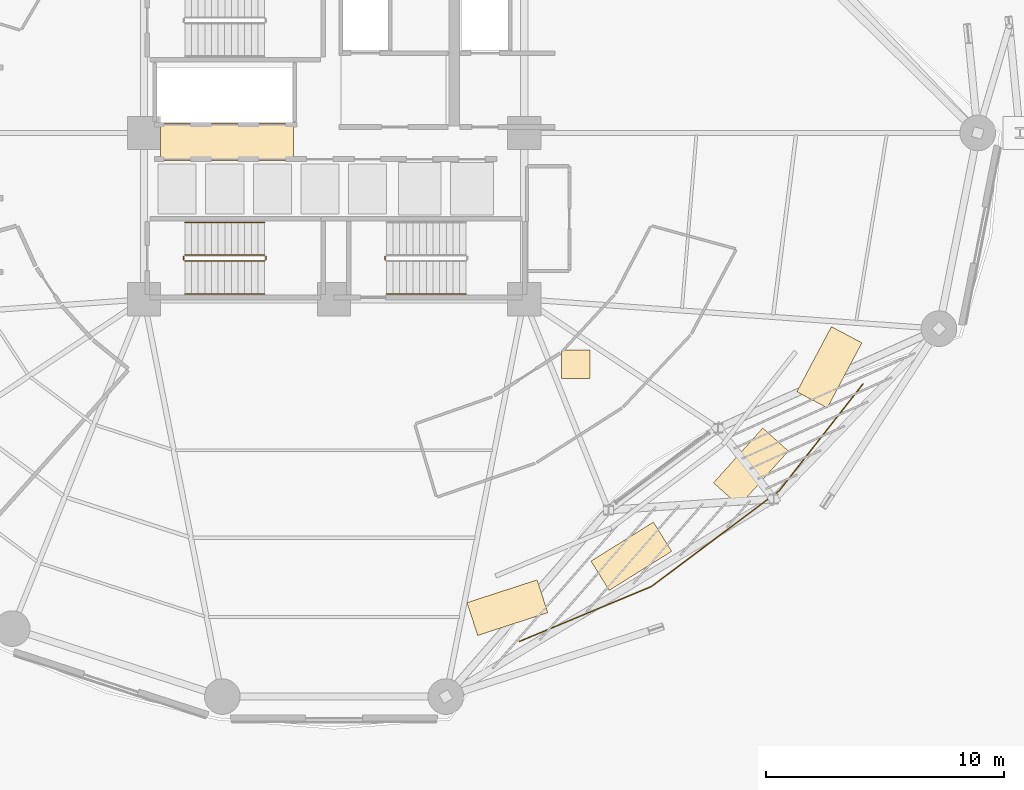
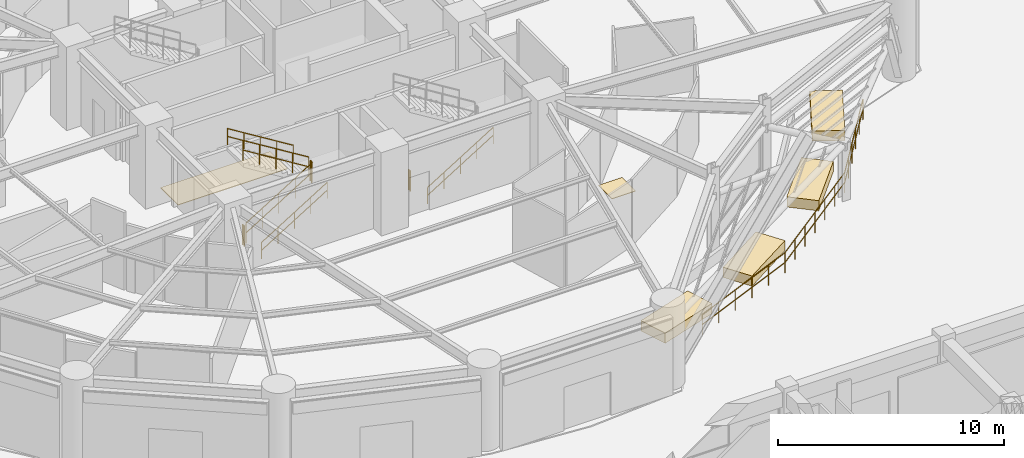
# One storey, part 36 of 40: 9 railings, 6 coverings.
"""IFC4 building model written with IfcOpenShell, lengths in metres."""

from ifc_helpers import new_model, si_unit, direction, frame, origin, origin_2d, place, context, subcontext, project, spatial, polyline, rectangle, outline, extrude, source, transform, mapped, material, layer, layer_set, type_object, element, save


model = new_model("IFC4")

# Units and contexts
model_context = context("Model", 3, precision=1e-05, world=origin(), true_north=direction((0.0, 1.0)))
body_context = subcontext(model_context, "Body", "Model", "MODEL_VIEW")
ifc_project = project(units=[si_unit("LENGTHUNIT", "METRE"), si_unit("AREAUNIT", "SQUARE_METRE"), si_unit("VOLUMEUNIT", "CUBIC_METRE"), si_unit("PLANEANGLEUNIT", "RADIAN"), si_unit("MASSUNIT", "GRAM", prefix="KILO")], contexts=[model_context])

# Site, building, storey
site_placement = place(None, origin())
site = spatial("IfcSite", under=ifc_project, at=site_placement, CompositionType="ELEMENT")
building_placement = place(site_placement, origin())
building = spatial("IfcBuilding", under=site, at=building_placement, Name="Kelanora Arch Commons", CompositionType="ELEMENT")
storey_placement = place(building_placement, origin())
storey = spatial("IfcBuildingStorey", under=building, at=storey_placement, Name="L00", CompositionType="ELEMENT", Elevation=0.0)

# Railings
ifc_material_1 = material(Name="Laminated glass and stainless steel balustrade", Category="steel")
railing_type_1 = type_object("IfcRailingType", Name="RAIL-BAL-112", PredefinedType="BALUSTRADE", material=ifc_material_1)
railing_1_placement = place(storey_placement, frame((81.787109375, 36.601318359375, 0.0)))
element("IfcRailing", 1, at=railing_1_placement, inside=storey, type_object=railing_type_1, Name="Planted Courtyard Garden Balustrade SE", PredefinedType="BALUSTRADE", context=body_context, shape_type="SweptSolid", body=[
    extrude(outline(polyline([(0.02392578125, 0.0), (0.011962890625, 0.020751953125), (-0.011962890625, 0.020751953125), (-0.02392578125, 0.0), (-0.011962890625, -0.020751953125), (0.011962890625, -0.020751953125), (0.02392578125, 0.0)])), frame((0.0, 0.0, 1.09619140625), z_axis=(0.923189481102, 0.38434513394, 0.0), x_axis=(-0.38434513394, 0.923189481102, 0.0)), (0.0, 0.0, 1.0), 6.030029296875),
    extrude(outline(polyline([(0.02392578125, 0.0), (0.011962890625, 0.020751953125), (-0.011962890625, 0.020751953125), (-0.02392578125, 0.0), (-0.011962890625, -0.020751953125), (0.011962890625, -0.020751953125), (0.02392578125, 0.0)])), frame((0.0, 0.0, 0.56005859375), z_axis=(0.923189481102, 0.38434513394, 0.0), x_axis=(-0.38434513394, 0.923189481102, 0.0)), (0.0, 0.0, 1.0), 6.030029296875),
    extrude(outline(polyline([(0.02392578125, 0.0), (0.011962890625, 0.020751953125), (-0.011962890625, 0.020751953125), (-0.02392578125, 0.0), (-0.011962890625, -0.020751953125), (0.011962890625, -0.020751953125), (0.02392578125, 0.0)])), frame((5.56689453125, 2.317626953125, 1.09619140625), z_axis=(0.800309704733, 0.599586838173, 0.0), x_axis=(-0.599586838173, 0.800309704733, 0.0)), (0.0, 0.0, 1.0), 6.714111328125),
    extrude(outline(polyline([(0.02392578125, 0.0), (0.011962890625, 0.020751953125), (-0.011962890625, 0.020751953125), (-0.02392578125, 0.0), (-0.011962890625, -0.020751953125), (0.011962890625, -0.020751953125), (0.02392578125, 0.0)])), frame((5.56689453125, 2.317626953125, 0.56005859375), z_axis=(0.800309704733, 0.599586838173, 0.0), x_axis=(-0.599586838173, 0.800309704733, 0.0)), (0.0, 0.0, 1.0), 6.714111328125),
    extrude(outline(polyline([(0.02392578125, 0.0), (0.011962890625, 0.020751953125), (-0.011962890625, 0.020751953125), (-0.02392578125, 0.0), (-0.011962890625, -0.020751953125), (0.011962890625, -0.020751953125), (0.02392578125, 0.0)])), frame((10.940185546875, 6.34326171875, 1.09619140625), z_axis=(0.617082826824, 0.786898204877, 0.0), x_axis=(-0.786898204877, 0.617082826824, 0.0)), (0.0, 0.0, 1.0), 5.708984375),
    extrude(outline(polyline([(0.02392578125, 0.0), (0.011962890625, 0.020751953125), (-0.011962890625, 0.020751953125), (-0.02392578125, 0.0), (-0.011962890625, -0.020751953125), (0.011962890625, -0.020751953125), (0.02392578125, 0.0)])), frame((10.940185546875, 6.34326171875, 0.56005859375), z_axis=(0.617082826824, 0.786898204877, 0.0), x_axis=(-0.786898204877, 0.617082826824, 0.0)), (0.0, 0.0, 1.0), 5.708984375),
    extrude(outline(polyline([(0.02099609375, 0.0), (0.010498046875, 0.01806640625), (-0.010498046875, 0.01806640625), (-0.02099609375, 0.0), (-0.010498046875, -0.01806640625), (0.010498046875, -0.01806640625), (0.02099609375, 0.0)])), origin(), (0.0, 0.0, 1.0), 1.072021484375),
    extrude(outline(polyline([(0.02099609375, 0.0), (0.010498046875, 0.01806640625), (-0.010498046875, 0.01806640625), (-0.02099609375, 0.0), (-0.010498046875, -0.01806640625), (0.010498046875, -0.01806640625), (0.02099609375, 0.0)])), frame((1.11328125, 0.463623046875, 0.0)), (0.0, 0.0, 1.0), 1.072021484375),
    extrude(outline(polyline([(0.02099609375, 0.0), (0.010498046875, 0.01806640625), (-0.010498046875, 0.01806640625), (-0.02099609375, 0.0), (-0.010498046875, -0.01806640625), (0.010498046875, -0.01806640625), (0.02099609375, 0.0)])), frame((2.226806640625, 0.927001953125, 0.0)), (0.0, 0.0, 1.0), 1.072021484375),
    extrude(outline(polyline([(0.02099609375, 0.0), (0.010498046875, 0.01806640625), (-0.010498046875, 0.01806640625), (-0.02099609375, 0.0), (-0.010498046875, -0.01806640625), (0.010498046875, -0.01806640625), (0.02099609375, 0.0)])), frame((3.340087890625, 1.390625, 0.0)), (0.0, 0.0, 1.0), 1.072021484375),
    extrude(outline(polyline([(0.02099609375, 0.0), (0.010498046875, 0.01806640625), (-0.010498046875, 0.01806640625), (-0.02099609375, 0.0), (-0.010498046875, -0.01806640625), (0.010498046875, -0.01806640625), (0.02099609375, 0.0)])), frame((4.45361328125, 1.85400390625, 0.0)), (0.0, 0.0, 1.0), 1.072021484375),
    extrude(outline(polyline([(0.02099609375, 0.0), (0.010498046875, 0.01806640625), (-0.010498046875, 0.01806640625), (-0.02099609375, 0.0), (-0.010498046875, -0.01806640625), (0.010498046875, -0.01806640625), (0.02099609375, 0.0)])), frame((5.56689453125, 2.317626953125, 0.0)), (0.0, 0.0, 1.0), 1.072021484375),
    extrude(outline(polyline([(0.02099609375, 0.0), (0.010498046875, 0.01806640625), (-0.010498046875, 0.01806640625), (-0.02099609375, 0.0), (-0.010498046875, -0.01806640625), (0.010498046875, -0.01806640625), (0.02099609375, 0.0)])), frame((6.46240234375, 2.988525390625, 0.0)), (0.0, 0.0, 1.0), 1.072021484375),
    extrude(outline(polyline([(0.02099609375, 0.0), (0.010498046875, 0.01806640625), (-0.010498046875, 0.01806640625), (-0.02099609375, 0.0), (-0.010498046875, -0.01806640625), (0.010498046875, -0.01806640625), (0.02099609375, 0.0)])), frame((7.35791015625, 3.659423828125, 0.0)), (0.0, 0.0, 1.0), 1.072021484375),
    extrude(outline(polyline([(0.02099609375, 0.0), (0.010498046875, 0.01806640625), (-0.010498046875, 0.01806640625), (-0.02099609375, 0.0), (-0.010498046875, -0.01806640625), (0.010498046875, -0.01806640625), (0.02099609375, 0.0)])), frame((8.25341796875, 4.33056640625, 0.0)), (0.0, 0.0, 1.0), 1.072021484375),
    extrude(outline(polyline([(0.02099609375, 0.0), (0.010498046875, 0.01806640625), (-0.010498046875, 0.01806640625), (-0.02099609375, 0.0), (-0.010498046875, -0.01806640625), (0.010498046875, -0.01806640625), (0.02099609375, 0.0)])), frame((9.149169921875, 5.00146484375, 0.0)), (0.0, 0.0, 1.0), 1.072021484375),
    extrude(outline(polyline([(0.02099609375, 0.0), (0.010498046875, 0.01806640625), (-0.010498046875, 0.01806640625), (-0.02099609375, 0.0), (-0.010498046875, -0.01806640625), (0.010498046875, -0.01806640625), (0.02099609375, 0.0)])), frame((10.044677734375, 5.67236328125, 0.0)), (0.0, 0.0, 1.0), 1.072021484375),
    extrude(outline(polyline([(0.02099609375, 0.0), (0.010498046875, 0.01806640625), (-0.010498046875, 0.01806640625), (-0.02099609375, 0.0), (-0.010498046875, -0.01806640625), (0.010498046875, -0.01806640625), (0.02099609375, 0.0)])), frame((10.940185546875, 6.34326171875, 0.0)), (0.0, 0.0, 1.0), 1.072021484375),
    extrude(outline(polyline([(0.02099609375, 0.0), (0.010498046875, 0.01806640625), (-0.010498046875, 0.01806640625), (-0.02099609375, 0.0), (-0.010498046875, -0.01806640625), (0.010498046875, -0.01806640625), (0.02099609375, 0.0)])), frame((11.644775390625, 7.24169921875, 0.0)), (0.0, 0.0, 1.0), 1.072021484375),
    extrude(outline(polyline([(0.02099609375, 0.0), (0.010498046875, 0.01806640625), (-0.010498046875, 0.01806640625), (-0.02099609375, 0.0), (-0.010498046875, -0.01806640625), (0.010498046875, -0.01806640625), (0.02099609375, 0.0)])), frame((12.349365234375, 8.14013671875, 0.0)), (0.0, 0.0, 1.0), 1.072021484375),
    extrude(outline(polyline([(0.02099609375, 0.0), (0.010498046875, 0.01806640625), (-0.010498046875, 0.01806640625), (-0.02099609375, 0.0), (-0.010498046875, -0.01806640625), (0.010498046875, -0.01806640625), (0.02099609375, 0.0)])), frame((13.053955078125, 9.038818359375, 0.0)), (0.0, 0.0, 1.0), 1.072021484375),
    extrude(outline(polyline([(0.02099609375, 0.0), (0.010498046875, 0.01806640625), (-0.010498046875, 0.01806640625), (-0.02099609375, 0.0), (-0.010498046875, -0.01806640625), (0.010498046875, -0.01806640625), (0.02099609375, 0.0)])), frame((13.758544921875, 9.937255859375, 0.0)), (0.0, 0.0, 1.0), 1.072021484375),
    extrude(outline(polyline([(0.02099609375, 0.0), (0.010498046875, 0.01806640625), (-0.010498046875, 0.01806640625), (-0.02099609375, 0.0), (-0.010498046875, -0.01806640625), (0.010498046875, -0.01806640625), (0.02099609375, 0.0)])), frame((14.463134765625, 10.835693359375, 0.0)), (0.0, 0.0, 1.0), 1.072021484375),
])
ifc_material_2 = material(Name="Painted steel stair well guard", Category="steel")
railing_type_2 = type_object("IfcRailingType", Name="RAIL-STAIR-GRD", PredefinedType="GUARDRAIL", material=ifc_material_2)
railing_2_placement = place(storey_placement, frame((76.14990234375, 52.659912109375, 0.0)))
element("IfcRailing", 2, at=railing_2_placement, inside=storey, type_object=railing_type_2, Name="L00 ST-T2 stair guard 4", PredefinedType="GUARDRAIL", context=body_context, shape_type="SweptSolid", body=[
    extrude(outline(polyline([(0.02392578125, 0.0), (0.011962890625, 0.020751953125), (-0.011962890625, 0.020751953125), (-0.02392578125, 0.0), (-0.011962890625, -0.020751953125), (0.011962890625, -0.020751953125), (0.02392578125, 0.0)])), frame((0.0, 0.0, 1.076171875), z_axis=(0.0, 1.0, 0.0), x_axis=(-1.0, 0.0, 0.0)), (0.0, 0.0, 1.0), 0.150146484375),
    extrude(outline(polyline([(0.02392578125, 0.0), (0.011962890625, 0.020751953125), (-0.011962890625, 0.020751953125), (-0.02392578125, 0.0), (-0.011962890625, -0.020751953125), (0.011962890625, -0.020751953125), (0.02392578125, 0.0)])), frame((0.0, 0.0, 0.550048828125), z_axis=(0.0, 1.0, 0.0), x_axis=(-1.0, 0.0, 0.0)), (0.0, 0.0, 1.0), 0.150146484375),
    extrude(outline(polyline([(0.02099609375, 0.0), (0.010498046875, 0.01806640625), (-0.010498046875, 0.01806640625), (-0.02099609375, 0.0), (-0.010498046875, -0.01806640625), (0.010498046875, -0.01806640625), (0.02099609375, 0.0)])), origin(), (0.0, 0.0, 1.0), 1.052001953125),
    extrude(outline(polyline([(0.02099609375, 0.0), (0.010498046875, 0.01806640625), (-0.010498046875, 0.01806640625), (-0.02099609375, 0.0), (-0.010498046875, -0.01806640625), (0.010498046875, -0.01806640625), (0.02099609375, 0.0)])), frame((0.0, 0.150146484375, 0.0)), (0.0, 0.0, 1.0), 1.052001953125),
])
railing_3_placement = place(storey_placement, frame((67.719970703125, 52.610107421875, 0.173095703125)))
element("IfcRailing", 3, at=railing_3_placement, inside=storey, type_object=railing_type_2, Name="L00 ST-T3 stair guard 1", PredefinedType="GUARDRAIL", context=body_context, shape_type="SweptSolid", body=[
    extrude(outline(polyline([(0.02392578125, 0.0), (0.011962890625, 0.020751953125), (-0.011962890625, 0.020751953125), (-0.02392578125, 0.0), (-0.011962890625, -0.020751953125), (0.011962890625, -0.020751953125), (0.02392578125, 0.0)])), frame((0.0, 0.0, 1.076171875), z_axis=(0.850623216509, 0.0, 0.525775754039), x_axis=(0.0, 1.0, 0.0)), (0.0, 0.0, 1.0), 3.9501953125),
    extrude(outline(polyline([(0.02392578125, 0.0), (0.011962890625, 0.020751953125), (-0.011962890625, 0.020751953125), (-0.02392578125, 0.0), (-0.011962890625, -0.020751953125), (0.011962890625, -0.020751953125), (0.02392578125, 0.0)])), frame((0.0, 0.0, 0.550048828125), z_axis=(0.850623216509, 0.0, 0.525775754039), x_axis=(0.0, 1.0, 0.0)), (0.0, 0.0, 1.0), 3.9501953125),
    extrude(outline(polyline([(0.02099609375, 0.0), (0.010498046875, 0.01806640625), (-0.010498046875, 0.01806640625), (-0.02099609375, 0.0), (-0.010498046875, -0.01806640625), (0.010498046875, -0.01806640625), (0.02099609375, 0.0)])), origin(), (0.0, 0.0, 1.0), 1.052001953125),
    extrude(outline(polyline([(0.02099609375, 0.0), (0.010498046875, 0.01806640625), (-0.010498046875, 0.01806640625), (-0.02099609375, 0.0), (-0.010498046875, -0.01806640625), (0.010498046875, -0.01806640625), (0.02099609375, 0.0)])), frame((0.840087890625, 0.0, 0.519287109375)), (0.0, 0.0, 1.0), 1.052001953125),
    extrude(outline(polyline([(0.02099609375, 0.0), (0.010498046875, 0.01806640625), (-0.010498046875, 0.01806640625), (-0.02099609375, 0.0), (-0.010498046875, -0.01806640625), (0.010498046875, -0.01806640625), (0.02099609375, 0.0)])), frame((1.68017578125, 0.0, 1.03857421875)), (0.0, 0.0, 1.0), 1.052001953125),
    extrude(outline(polyline([(0.02099609375, 0.0), (0.010498046875, 0.01806640625), (-0.010498046875, 0.01806640625), (-0.02099609375, 0.0), (-0.010498046875, -0.01806640625), (0.010498046875, -0.01806640625), (0.02099609375, 0.0)])), frame((2.52001953125, 0.0, 1.5576171875)), (0.0, 0.0, 1.0), 1.052001953125),
    extrude(outline(polyline([(0.02099609375, 0.0), (0.010498046875, 0.01806640625), (-0.010498046875, 0.01806640625), (-0.02099609375, 0.0), (-0.010498046875, -0.01806640625), (0.010498046875, -0.01806640625), (0.02099609375, 0.0)])), frame((3.360107421875, 0.0, 2.076904296875)), (0.0, 0.0, 1.0), 1.052001953125),
])
railing_4_placement = place(storey_placement, frame((71.1298828125, 52.659912109375, 2.25)))
element("IfcRailing", 4, at=railing_4_placement, inside=storey, type_object=railing_type_2, Name="L00 ST-T3 stair guard 2", PredefinedType="GUARDRAIL", context=body_context, shape_type="SweptSolid", body=[
    extrude(outline(polyline([(0.02392578125, 0.0), (0.011962890625, 0.020751953125), (-0.011962890625, 0.020751953125), (-0.02392578125, 0.0), (-0.011962890625, -0.020751953125), (0.011962890625, -0.020751953125), (0.02392578125, 0.0)])), frame((0.0, 0.0, 1.076171875), z_axis=(0.0, 1.0, 0.0), x_axis=(-1.0, 0.0, 0.0)), (0.0, 0.0, 1.0), 0.150146484375),
    extrude(outline(polyline([(0.02392578125, 0.0), (0.011962890625, 0.020751953125), (-0.011962890625, 0.020751953125), (-0.02392578125, 0.0), (-0.011962890625, -0.020751953125), (0.011962890625, -0.020751953125), (0.02392578125, 0.0)])), frame((0.0, 0.0, 0.550048828125), z_axis=(0.0, 1.0, 0.0), x_axis=(-1.0, 0.0, 0.0)), (0.0, 0.0, 1.0), 0.150146484375),
    extrude(outline(polyline([(0.02099609375, 0.0), (0.010498046875, 0.01806640625), (-0.010498046875, 0.01806640625), (-0.02099609375, 0.0), (-0.010498046875, -0.01806640625), (0.010498046875, -0.01806640625), (0.02099609375, 0.0)])), origin(), (0.0, 0.0, 1.0), 1.052001953125),
    extrude(outline(polyline([(0.02099609375, 0.0), (0.010498046875, 0.01806640625), (-0.010498046875, 0.01806640625), (-0.02099609375, 0.0), (-0.010498046875, -0.01806640625), (0.010498046875, -0.01806640625), (0.02099609375, 0.0)])), frame((0.0, 0.150146484375, 0.0)), (0.0, 0.0, 1.0), 1.052001953125),
])
railing_5_placement = place(storey_placement, frame((71.080078125, 52.860107421875, 2.423095703125)))
element("IfcRailing", 5, at=railing_5_placement, inside=storey, type_object=railing_type_2, Name="L00 ST-T3 stair guard 3", PredefinedType="GUARDRAIL", context=body_context, shape_type="SweptSolid", body=[
    extrude(outline(polyline([(0.02392578125, 0.0), (0.011962890625, 0.020751953125), (-0.011962890625, 0.020751953125), (-0.02392578125, 0.0), (-0.011962890625, -0.020751953125), (0.011962890625, -0.020751953125), (0.02392578125, 0.0)])), frame((0.0, 0.0, 1.076171875), z_axis=(-0.850623216509, 0.0, 0.525775754039), x_axis=(0.0, -1.0, 0.0)), (0.0, 0.0, 1.0), 3.9501953125),
    extrude(outline(polyline([(0.02392578125, 0.0), (0.011962890625, 0.020751953125), (-0.011962890625, 0.020751953125), (-0.02392578125, 0.0), (-0.011962890625, -0.020751953125), (0.011962890625, -0.020751953125), (0.02392578125, 0.0)])), frame((0.0, 0.0, 0.550048828125), z_axis=(-0.850623216509, 0.0, 0.525775754039), x_axis=(0.0, -1.0, 0.0)), (0.0, 0.0, 1.0), 3.9501953125),
    extrude(outline(polyline([(0.02099609375, 0.0), (0.010498046875, 0.01806640625), (-0.010498046875, 0.01806640625), (-0.02099609375, 0.0), (-0.010498046875, -0.01806640625), (0.010498046875, -0.01806640625), (0.02099609375, 0.0)])), origin(), (0.0, 0.0, 1.0), 1.052001953125),
    extrude(outline(polyline([(0.02099609375, 0.0), (0.010498046875, 0.01806640625), (-0.010498046875, 0.01806640625), (-0.02099609375, 0.0), (-0.010498046875, -0.01806640625), (0.010498046875, -0.01806640625), (0.02099609375, 0.0)])), frame((-0.840087890625, 0.0, 0.519287109375)), (0.0, 0.0, 1.0), 1.052001953125),
    extrude(outline(polyline([(0.02099609375, 0.0), (0.010498046875, 0.01806640625), (-0.010498046875, 0.01806640625), (-0.02099609375, 0.0), (-0.010498046875, -0.01806640625), (0.010498046875, -0.01806640625), (0.02099609375, 0.0)])), frame((-1.68017578125, 0.0, 1.03857421875)), (0.0, 0.0, 1.0), 1.052001953125),
    extrude(outline(polyline([(0.02099609375, 0.0), (0.010498046875, 0.01806640625), (-0.010498046875, 0.01806640625), (-0.02099609375, 0.0), (-0.010498046875, -0.01806640625), (0.010498046875, -0.01806640625), (0.02099609375, 0.0)])), frame((-2.52001953125, 0.0, 1.5576171875)), (0.0, 0.0, 1.0), 1.052001953125),
    extrude(outline(polyline([(0.02099609375, 0.0), (0.010498046875, 0.01806640625), (-0.010498046875, 0.01806640625), (-0.02099609375, 0.0), (-0.010498046875, -0.01806640625), (0.010498046875, -0.01806640625), (0.02099609375, 0.0)])), frame((-3.360107421875, 0.0, 2.076904296875)), (0.0, 0.0, 1.0), 1.052001953125),
])
railing_6_placement = place(storey_placement, frame((67.669921875, 52.659912109375, 0.0)))
element("IfcRailing", 6, at=railing_6_placement, inside=storey, type_object=railing_type_2, Name="L00 ST-T3 stair guard 4", PredefinedType="GUARDRAIL", context=body_context, shape_type="SweptSolid", body=[
    extrude(outline(polyline([(0.02392578125, 0.0), (0.011962890625, 0.020751953125), (-0.011962890625, 0.020751953125), (-0.02392578125, 0.0), (-0.011962890625, -0.020751953125), (0.011962890625, -0.020751953125), (0.02392578125, 0.0)])), frame((0.0, 0.0, 1.076171875), z_axis=(0.0, 1.0, 0.0), x_axis=(-1.0, 0.0, 0.0)), (0.0, 0.0, 1.0), 0.150146484375),
    extrude(outline(polyline([(0.02392578125, 0.0), (0.011962890625, 0.020751953125), (-0.011962890625, 0.020751953125), (-0.02392578125, 0.0), (-0.011962890625, -0.020751953125), (0.011962890625, -0.020751953125), (0.02392578125, 0.0)])), frame((0.0, 0.0, 0.550048828125), z_axis=(0.0, 1.0, 0.0), x_axis=(-1.0, 0.0, 0.0)), (0.0, 0.0, 1.0), 0.150146484375),
    extrude(outline(polyline([(0.02099609375, 0.0), (0.010498046875, 0.01806640625), (-0.010498046875, 0.01806640625), (-0.02099609375, 0.0), (-0.010498046875, -0.01806640625), (0.010498046875, -0.01806640625), (0.02099609375, 0.0)])), origin(), (0.0, 0.0, 1.0), 1.052001953125),
    extrude(outline(polyline([(0.02099609375, 0.0), (0.010498046875, 0.01806640625), (-0.010498046875, 0.01806640625), (-0.02099609375, 0.0), (-0.010498046875, -0.01806640625), (0.010498046875, -0.01806640625), (0.02099609375, 0.0)])), frame((0.0, 0.150146484375, 0.0)), (0.0, 0.0, 1.0), 1.052001953125),
])
ifc_material_3 = material(Name="Brushed stainless steel stair handrail", Category="steel")
railing_type_3 = type_object("IfcRailingType", Name="RAIL-STAIR-HND", PredefinedType="HANDRAIL", material=ifc_material_3)
railing_7_placement = place(storey_placement, frame((76.199951171875, 51.22998046875, 0.173095703125)))
element("IfcRailing", 7, at=railing_7_placement, inside=storey, type_object=railing_type_3, Name="L00 ST-T2 stair handrail 1", PredefinedType="HANDRAIL", context=body_context, shape_type="SweptSolid", body=[
    extrude(outline(polyline([(0.02392578125, 0.0), (0.011962890625, 0.020751953125), (-0.011962890625, 0.020751953125), (-0.02392578125, 0.0), (-0.011962890625, -0.020751953125), (0.011962890625, -0.020751953125), (0.02392578125, 0.0)])), frame((0.0, 0.0, 0.8759765625), z_axis=(0.850623216509, 0.0, 0.525775754039), x_axis=(0.0, 1.0, 0.0)), (0.0, 0.0, 1.0), 3.9501953125),
    extrude(outline(polyline([(0.02392578125, 0.0), (0.011962890625, 0.020751953125), (-0.011962890625, 0.020751953125), (-0.02392578125, 0.0), (-0.011962890625, -0.020751953125), (0.011962890625, -0.020751953125), (0.02392578125, 0.0)])), frame((0.0, 0.0, 0.449951171875), z_axis=(0.850623216509, 0.0, 0.525775754039), x_axis=(0.0, 1.0, 0.0)), (0.0, 0.0, 1.0), 3.9501953125),
    extrude(outline(polyline([(0.02099609375, 0.0), (0.010498046875, 0.01806640625), (-0.010498046875, 0.01806640625), (-0.02099609375, 0.0), (-0.010498046875, -0.01806640625), (0.010498046875, -0.01806640625), (0.02099609375, 0.0)])), origin(), (0.0, 0.0, 1.0), 0.851806640625),
    extrude(outline(polyline([(0.02099609375, 0.0), (0.010498046875, 0.01806640625), (-0.010498046875, 0.01806640625), (-0.02099609375, 0.0), (-0.010498046875, -0.01806640625), (0.010498046875, -0.01806640625), (0.02099609375, 0.0)])), frame((0.840087890625, 0.0, 0.519287109375)), (0.0, 0.0, 1.0), 0.851806640625),
    extrude(outline(polyline([(0.02099609375, 0.0), (0.010498046875, 0.01806640625), (-0.010498046875, 0.01806640625), (-0.02099609375, 0.0), (-0.010498046875, -0.01806640625), (0.010498046875, -0.01806640625), (0.02099609375, 0.0)])), frame((1.68017578125, 0.0, 1.03857421875)), (0.0, 0.0, 1.0), 0.851806640625),
    extrude(outline(polyline([(0.02099609375, 0.0), (0.010498046875, 0.01806640625), (-0.010498046875, 0.01806640625), (-0.02099609375, 0.0), (-0.010498046875, -0.01806640625), (0.010498046875, -0.01806640625), (0.02099609375, 0.0)])), frame((2.52001953125, 0.0, 1.5576171875)), (0.0, 0.0, 1.0), 0.851806640625),
    extrude(outline(polyline([(0.02099609375, 0.0), (0.010498046875, 0.01806640625), (-0.010498046875, 0.01806640625), (-0.02099609375, 0.0), (-0.010498046875, -0.01806640625), (0.010498046875, -0.01806640625), (0.02099609375, 0.0)])), frame((3.360107421875, 0.0, 2.076904296875)), (0.0, 0.0, 1.0), 0.851806640625),
])
railing_8_placement = place(storey_placement, frame((67.719970703125, 51.22998046875, 0.173095703125)))
element("IfcRailing", 8, at=railing_8_placement, inside=storey, type_object=railing_type_3, Name="L00 ST-T3 stair handrail 1", PredefinedType="HANDRAIL", context=body_context, shape_type="SweptSolid", body=[
    extrude(outline(polyline([(0.02392578125, 0.0), (0.011962890625, 0.020751953125), (-0.011962890625, 0.020751953125), (-0.02392578125, 0.0), (-0.011962890625, -0.020751953125), (0.011962890625, -0.020751953125), (0.02392578125, 0.0)])), frame((0.0, 0.0, 0.8759765625), z_axis=(0.850623216509, 0.0, 0.525775754039), x_axis=(0.0, 1.0, 0.0)), (0.0, 0.0, 1.0), 3.9501953125),
    extrude(outline(polyline([(0.02392578125, 0.0), (0.011962890625, 0.020751953125), (-0.011962890625, 0.020751953125), (-0.02392578125, 0.0), (-0.011962890625, -0.020751953125), (0.011962890625, -0.020751953125), (0.02392578125, 0.0)])), frame((0.0, 0.0, 0.449951171875), z_axis=(0.850623216509, 0.0, 0.525775754039), x_axis=(0.0, 1.0, 0.0)), (0.0, 0.0, 1.0), 3.9501953125),
    extrude(outline(polyline([(0.02099609375, 0.0), (0.010498046875, 0.01806640625), (-0.010498046875, 0.01806640625), (-0.02099609375, 0.0), (-0.010498046875, -0.01806640625), (0.010498046875, -0.01806640625), (0.02099609375, 0.0)])), origin(), (0.0, 0.0, 1.0), 0.851806640625),
    extrude(outline(polyline([(0.02099609375, 0.0), (0.010498046875, 0.01806640625), (-0.010498046875, 0.01806640625), (-0.02099609375, 0.0), (-0.010498046875, -0.01806640625), (0.010498046875, -0.01806640625), (0.02099609375, 0.0)])), frame((0.840087890625, 0.0, 0.519287109375)), (0.0, 0.0, 1.0), 0.851806640625),
    extrude(outline(polyline([(0.02099609375, 0.0), (0.010498046875, 0.01806640625), (-0.010498046875, 0.01806640625), (-0.02099609375, 0.0), (-0.010498046875, -0.01806640625), (0.010498046875, -0.01806640625), (0.02099609375, 0.0)])), frame((1.68017578125, 0.0, 1.03857421875)), (0.0, 0.0, 1.0), 0.851806640625),
    extrude(outline(polyline([(0.02099609375, 0.0), (0.010498046875, 0.01806640625), (-0.010498046875, 0.01806640625), (-0.02099609375, 0.0), (-0.010498046875, -0.01806640625), (0.010498046875, -0.01806640625), (0.02099609375, 0.0)])), frame((2.52001953125, 0.0, 1.5576171875)), (0.0, 0.0, 1.0), 0.851806640625),
    extrude(outline(polyline([(0.02099609375, 0.0), (0.010498046875, 0.01806640625), (-0.010498046875, 0.01806640625), (-0.02099609375, 0.0), (-0.010498046875, -0.01806640625), (0.010498046875, -0.01806640625), (0.02099609375, 0.0)])), frame((3.360107421875, 0.0, 2.076904296875)), (0.0, 0.0, 1.0), 0.851806640625),
])
railing_9_placement = place(storey_placement, frame((71.080078125, 54.239990234375, 2.423095703125)))
element("IfcRailing", 9, at=railing_9_placement, inside=storey, type_object=railing_type_3, Name="L00 ST-T3 stair handrail 2", PredefinedType="HANDRAIL", context=body_context, shape_type="SweptSolid", body=[
    extrude(outline(polyline([(0.02392578125, 0.0), (0.011962890625, 0.020751953125), (-0.011962890625, 0.020751953125), (-0.02392578125, 0.0), (-0.011962890625, -0.020751953125), (0.011962890625, -0.020751953125), (0.02392578125, 0.0)])), frame((0.0, 0.0, 0.8759765625), z_axis=(-0.850623216509, 0.0, 0.525775754039), x_axis=(0.0, -1.0, 0.0)), (0.0, 0.0, 1.0), 3.9501953125),
    extrude(outline(polyline([(0.02392578125, 0.0), (0.011962890625, 0.020751953125), (-0.011962890625, 0.020751953125), (-0.02392578125, 0.0), (-0.011962890625, -0.020751953125), (0.011962890625, -0.020751953125), (0.02392578125, 0.0)])), frame((0.0, 0.0, 0.449951171875), z_axis=(-0.850623216509, 0.0, 0.525775754039), x_axis=(0.0, -1.0, 0.0)), (0.0, 0.0, 1.0), 3.9501953125),
    extrude(outline(polyline([(0.02099609375, 0.0), (0.010498046875, 0.01806640625), (-0.010498046875, 0.01806640625), (-0.02099609375, 0.0), (-0.010498046875, -0.01806640625), (0.010498046875, -0.01806640625), (0.02099609375, 0.0)])), origin(), (0.0, 0.0, 1.0), 0.851806640625),
    extrude(outline(polyline([(0.02099609375, 0.0), (0.010498046875, 0.01806640625), (-0.010498046875, 0.01806640625), (-0.02099609375, 0.0), (-0.010498046875, -0.01806640625), (0.010498046875, -0.01806640625), (0.02099609375, 0.0)])), frame((-0.840087890625, 0.0, 0.519287109375)), (0.0, 0.0, 1.0), 0.851806640625),
    extrude(outline(polyline([(0.02099609375, 0.0), (0.010498046875, 0.01806640625), (-0.010498046875, 0.01806640625), (-0.02099609375, 0.0), (-0.010498046875, -0.01806640625), (0.010498046875, -0.01806640625), (0.02099609375, 0.0)])), frame((-1.68017578125, 0.0, 1.03857421875)), (0.0, 0.0, 1.0), 0.851806640625),
    extrude(outline(polyline([(0.02099609375, 0.0), (0.010498046875, 0.01806640625), (-0.010498046875, 0.01806640625), (-0.02099609375, 0.0), (-0.010498046875, -0.01806640625), (0.010498046875, -0.01806640625), (0.02099609375, 0.0)])), frame((-2.52001953125, 0.0, 1.5576171875)), (0.0, 0.0, 1.0), 0.851806640625),
    extrude(outline(polyline([(0.02099609375, 0.0), (0.010498046875, 0.01806640625), (-0.010498046875, 0.01806640625), (-0.02099609375, 0.0), (-0.010498046875, -0.01806640625), (0.010498046875, -0.01806640625), (0.02099609375, 0.0)])), frame((-3.360107421875, 0.0, 2.076904296875)), (0.0, 0.0, 1.0), 0.851806640625),
])

# Coverings
ifc_material_4 = material(Name="Architectural terracotta planter bed with planting soil", Category="masonry")
ifc_layer_1 = layer(ifc_material_4, 0.550048828125)
ifc_layer_set_1 = layer_set([ifc_layer_1], Name="Architectural terracotta planter bed with planting soil")
covering_type_1 = type_object("IfcCoveringType", Name="COV-PLANTER", PredefinedType="USERDEFINED", material=ifc_layer_set_1)
shared_shape_1 = source(origin(), body_context, "Body", "SweptSolid", [
    extrude(rectangle(XDim=3.10009765625, YDim=1.449951171875, at=origin_2d()), origin(), (0.0, 0.0, 1.0), 0.550048828125),
])
for number, where, z_axis, x_axis, name in (
    (10, (81.292724609375, 38.02783203125, 0.0), (0.0, 0.0, 1.0), (0.951056516295, 0.309016994375, 0.0), "Planted Courtyard Garden Bed SE-1"),
    (11, (86.506103515625, 40.19091796875, 0.0), (0.0, 0.0, 1.0), (0.848048096156, 0.529919264233, 0.0), "Planted Courtyard Garden Bed SE-2"),
    (12, (91.5380859375, 43.9482421875, 0.0), (0.0, 0.0, 1.0), (0.669130606359, 0.743144825477, 0.0), "Planted Courtyard Garden Bed SE-3"),
    (13, (94.837646484375, 48.14111328125, 0.0), (0.0, 0.0, 1.0), (0.469471562786, 0.882947592859, 0.0), "Planted Courtyard Garden Bed SE-4"),
):
    element("IfcCovering", number, at=place(storey_placement, frame(where, z_axis=z_axis, x_axis=x_axis)), inside=storey, type_object=covering_type_1, Name=name, ObjectType="PLANTER", PredefinedType="USERDEFINED", context=body_context, shape_type="MappedRepresentation", body=[
        mapped(shared_shape_1, transform((0.0, 0.0, 0.0), scale=1.0)),
    ])
ifc_material_5 = material(Name="Polished local granite terrazzo flooring", Category="masonry")
ifc_layer_2 = layer(ifc_material_5, 0.030029296875)
ifc_layer_set_2 = layer_set([ifc_layer_2], Name="Polished local granite terrazzo flooring")
covering_type_2 = type_object("IfcCoveringType", Name="COV-FLR-TER", PredefinedType="FLOORING", material=ifc_layer_set_2)
shared_shape_2 = source(origin(), body_context, "Body", "SweptSolid", [
    extrude(rectangle(XDim=1.199951171875, YDim=1.199951171875, at=origin_2d()), origin(), (0.0, 0.0, 1.0), 0.030029296875),
])
covering_1_placement = place(storey_placement, frame((84.168212890625, 48.260986328125, 0.0), z_axis=(0.0, 0.0, 1.0), x_axis=(1.0, 0.0, 0.0)))
element("IfcCovering", 14, at=covering_1_placement, inside=storey, type_object=covering_type_2, Name="Courtyard Communal Dining Pavilion South-East Terrazzo Finish", PredefinedType="FLOORING", context=body_context, shape_type="MappedRepresentation", body=[
    mapped(shared_shape_2, transform((0.0, 0.0, 0.0), scale=1.0)),
])
shared_shape_3 = source(origin(), body_context, "Body", "SweptSolid", [
    extrude(rectangle(XDim=5.60009765625, YDim=1.5400390625, at=origin_2d()), origin(), (0.0, 0.0, 1.0), 0.030029296875),
])
covering_2_placement = place(storey_placement, frame((69.5, 57.6201171875, 0.0), z_axis=(0.0, 0.0, 1.0), x_axis=(1.0, 0.0, 0.0)))
element("IfcCovering", 15, at=covering_2_placement, inside=storey, type_object=covering_type_2, Name="Lift Lobby Terrazzo Flooring L00", PredefinedType="FLOORING", context=body_context, shape_type="MappedRepresentation", body=[
    mapped(shared_shape_3, transform((0.0, 0.0, 0.0), scale=1.0)),
])

save(model, "model.ifc")
